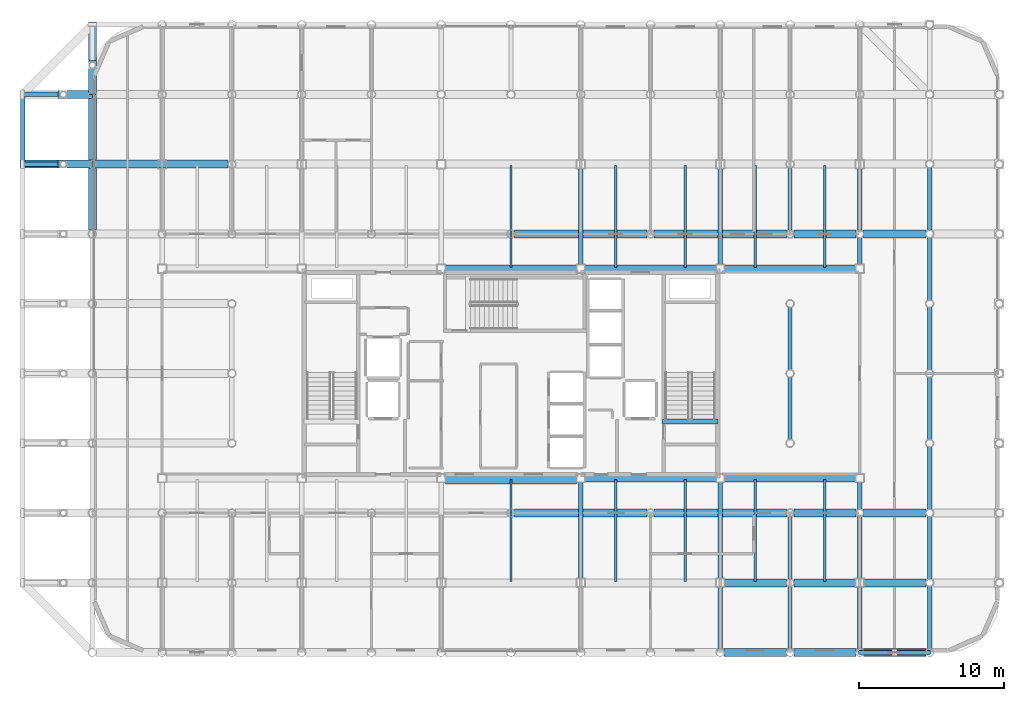
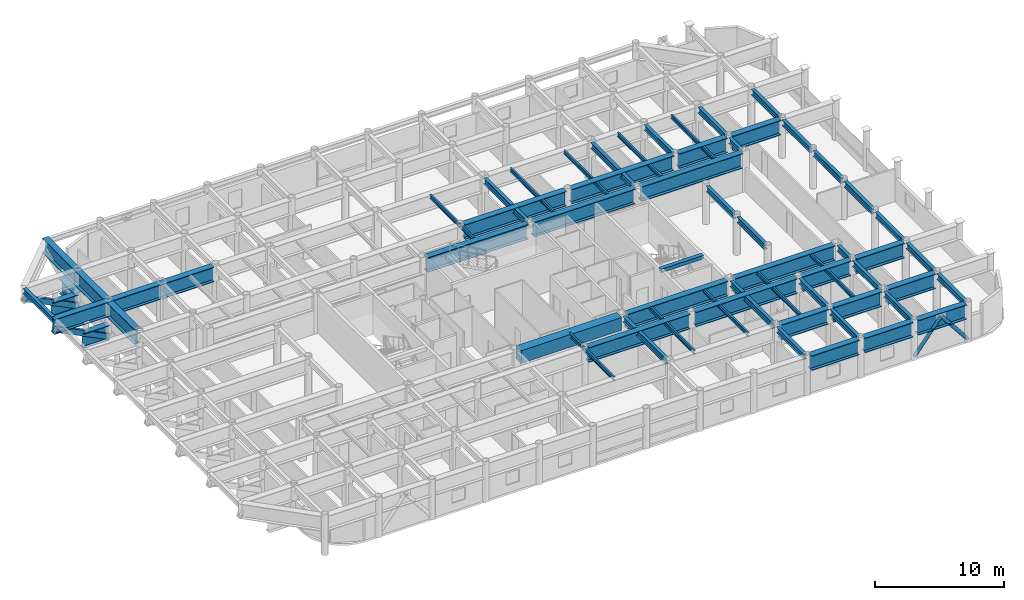
# One storey, part 11 of 27: 59 beams, 4 members.
"""IFC4 building model written with IfcOpenShell, lengths in metres."""

from ifc_helpers import new_model, si_unit, direction, frame, origin, origin_2d, place, context, subcontext, project, spatial, rectangle, hollow_rectangle, hollow_circle, i_section, extrude, material, material_profile, profile_set, type_object, element, save


model = new_model("IFC4")

# Units and contexts
model_context = context("Model", 3, precision=1e-05, world=origin(), true_north=direction((0.0, 1.0)))
body_context = subcontext(model_context, "Body", "Model", "MODEL_VIEW")
ifc_project = project(units=[si_unit("LENGTHUNIT", "METRE"), si_unit("AREAUNIT", "SQUARE_METRE"), si_unit("VOLUMEUNIT", "CUBIC_METRE"), si_unit("PLANEANGLEUNIT", "RADIAN"), si_unit("MASSUNIT", "GRAM", prefix="KILO")], contexts=[model_context])

# Site, building, storey
site_placement = place(None, origin())
site = spatial("IfcSite", under=ifc_project, at=site_placement, CompositionType="ELEMENT")
building_placement = place(site_placement, origin())
building = spatial("IfcBuilding", under=site, at=building_placement, Name="Kallvorn Hotel Tower", CompositionType="ELEMENT")
storey_placement = place(building_placement, frame((0.0, 0.0, 245.39990234375)))
storey = spatial("IfcBuildingStorey", under=building, at=storey_placement, Name="L61", CompositionType="ELEMENT", Elevation=245.39990234375)

# Beams
ifc_material_1 = material(Name="Structural steel S355JR", Category="steel")
ifc_material_profile_1 = material_profile(ifc_material_1, i_section(OverallWidth=0.300048828125, OverallDepth=0.5, WebThickness=0.014404296875, FlangeThickness=0.028076171875, at=origin_2d()), Name="HE 500 B")
ifc_profile_set_1 = profile_set([ifc_material_profile_1], Name="Structural steel S355JR")
beam_type_1 = type_object("IfcBeamType", Name="BM_HE500B", PredefinedType="SPANDREL", material=ifc_profile_set_1)
beam_1_placement = place(storey_placement, frame((-33.60009765625, 14.550048828125, 3.420166015625), z_axis=(0.0, 1.0, 0.0), x_axis=(-1.0, 0.0, 0.0)))
element("IfcBeam", 1, at=beam_1_placement, inside=storey, type_object=beam_type_1, Name="L62 Perimeter Spandrel 189", PredefinedType="SPANDREL", context=body_context, shape_type="SweptSolid", body=[
    extrude(i_section(OverallWidth=0.300048828125, OverallDepth=0.5, WebThickness=0.014404296875, FlangeThickness=0.028076171875, at=origin_2d()), origin(), (0.0, 0.0, 1.0), 4.5),
])
ifc_material_2 = material(Name="Structural steel S355JR", Category="steel")
ifc_material_profile_2 = material_profile(ifc_material_2, i_section(OverallWidth=0.300048828125, OverallDepth=0.550048828125, WebThickness=0.014892578125, FlangeThickness=0.029052734375, at=origin_2d()), Name="HE 550 B")
ifc_profile_set_2 = profile_set([ifc_material_profile_2], Name="Structural steel S355JR")
beam_type_2 = type_object("IfcBeamType", Name="BM_HE550B", PredefinedType="SPANDREL", material=ifc_profile_set_2)
for number, where, z_axis, x_axis, name in (
    (2, (4.800048828125, -14.125, 3.39501953125), (0.0, 1.0, 0.0), (-1.0, 0.0, 0.0), "L62 Primary Y-Girder 123"),
    (3, (4.800048828125, 7.47509765625, 3.39501953125), (0.0, 1.0, 0.0), (-1.0, 0.0, 0.0), "L62 Primary Y-Girder 124"),
):
    element("IfcBeam", number, at=place(storey_placement, frame(where, z_axis=z_axis, x_axis=x_axis)), inside=storey, type_object=beam_type_2, Name=name, PredefinedType="SPANDREL", context=body_context, shape_type="SweptSolid", body=[
        extrude(i_section(OverallWidth=0.300048828125, OverallDepth=0.550048828125, WebThickness=0.014892578125, FlangeThickness=0.029052734375, at=origin_2d()), origin(), (0.0, 0.0, 1.0), 6.64990234375),
    ])
beam_2_placement = place(storey_placement, frame((14.39990234375, -18.945556640625, 3.39501953125), z_axis=(0.0, 1.0, 0.0), x_axis=(-1.0, 0.0, 0.0)))
element("IfcBeam", 4, at=beam_2_placement, inside=storey, type_object=beam_type_2, Name="L62 Primary Y-Girder 130", PredefinedType="SPANDREL", context=body_context, shape_type="SweptSolid", body=[
    extrude(i_section(OverallWidth=0.300048828125, OverallDepth=0.550048828125, WebThickness=0.014892578125, FlangeThickness=0.029052734375, at=origin_2d()), origin(), (0.0, 0.0, 1.0), 4.2705078125),
])
for number, where, z_axis, x_axis, name in (
    (5, (14.39990234375, -14.125, 3.39501953125), (0.0, 1.0, 0.0), (-1.0, 0.0, 0.0), "L62 Primary Y-Girder 131"),
    (6, (14.39990234375, 7.47509765625, 3.39501953125), (0.0, 1.0, 0.0), (-1.0, 0.0, 0.0), "L62 Primary Y-Girder 132"),
):
    element("IfcBeam", number, at=place(storey_placement, frame(where, z_axis=z_axis, x_axis=x_axis)), inside=storey, type_object=beam_type_2, Name=name, PredefinedType="SPANDREL", context=body_context, shape_type="SweptSolid", body=[
        extrude(i_section(OverallWidth=0.300048828125, OverallDepth=0.550048828125, WebThickness=0.014892578125, FlangeThickness=0.029052734375, at=origin_2d()), origin(), (0.0, 0.0, 1.0), 6.64990234375),
    ])
for number, where, z_axis, x_axis, name in (
    (7, (19.199951171875, -18.945556640625, 3.39501953125), (0.0, 1.0, 0.0), (-1.0, 0.0, 0.0), "L62 Primary Y-Girder 135"),
    (8, (19.199951171875, -14.1455078125, 3.39501953125), (0.0, 1.0, 0.0), (-1.0, 0.0, 0.0), "L62 Primary Y-Girder 136"),
    (9, (19.199951171875, -4.54541015625, 3.39501953125), (0.0, 1.0, 0.0), (-1.0, 0.0, 0.0), "L62 Primary Y-Girder 138"),
    (10, (19.199951171875, 0.25439453125, 3.39501953125), (0.0, 1.0, 0.0), (-1.0, 0.0, 0.0), "L62 Primary Y-Girder 139"),
    (11, (19.199951171875, 9.8544921875, 3.39501953125), (0.0, 1.0, 0.0), (-1.0, 0.0, 0.0), "L62 Primary Y-Girder 141"),
):
    element("IfcBeam", number, at=place(storey_placement, frame(where, z_axis=z_axis, x_axis=x_axis)), inside=storey, type_object=beam_type_2, Name=name, PredefinedType="SPANDREL", context=body_context, shape_type="SweptSolid", body=[
        extrude(i_section(OverallWidth=0.300048828125, OverallDepth=0.550048828125, WebThickness=0.014892578125, FlangeThickness=0.029052734375, at=origin_2d()), origin(), (0.0, 0.0, 1.0), 4.291015625),
    ])
for number, where, z_axis, x_axis, name in (
    (12, (24.0, -18.945556640625, 3.39501953125), (0.0, 1.0, 0.0), (-1.0, 0.0, 0.0), "L62 Primary Y-Girder 144"),
    (13, (24.0, -14.125, 3.39501953125), (0.0, 1.0, 0.0), (-1.0, 0.0, 0.0), "L62 Primary Y-Girder 145"),
):
    element("IfcBeam", number, at=place(storey_placement, frame(where, z_axis=z_axis, x_axis=x_axis)), inside=storey, type_object=beam_type_2, Name=name, PredefinedType="SPANDREL", context=body_context, shape_type="SweptSolid", body=[
        extrude(i_section(OverallWidth=0.300048828125, OverallDepth=0.550048828125, WebThickness=0.014892578125, FlangeThickness=0.029052734375, at=origin_2d()), origin(), (0.0, 0.0, 1.0), 4.2705078125),
    ])
for number, where, z_axis, x_axis, name in (
    (14, (24.0, -9.345458984375, 3.39501953125), (0.0, 1.0, 0.0), (-1.0, 0.0, 0.0), "L62 Primary Y-Girder 146"),
    (15, (24.0, 7.47509765625, 3.39501953125), (0.0, 1.0, 0.0), (-1.0, 0.0, 0.0), "L62 Primary Y-Girder 147"),
):
    element("IfcBeam", number, at=place(storey_placement, frame(where, z_axis=z_axis, x_axis=x_axis)), inside=storey, type_object=beam_type_2, Name=name, PredefinedType="SPANDREL", context=body_context, shape_type="SweptSolid", body=[
        extrude(i_section(OverallWidth=0.300048828125, OverallDepth=0.550048828125, WebThickness=0.014892578125, FlangeThickness=0.029052734375, at=origin_2d()), origin(), (0.0, 0.0, 1.0), 1.870361328125),
    ])
beam_3_placement = place(storey_placement, frame((24.0, 9.8544921875, 3.39501953125), z_axis=(0.0, 1.0, 0.0), x_axis=(-1.0, 0.0, 0.0)))
element("IfcBeam", 16, at=beam_3_placement, inside=storey, type_object=beam_type_2, Name="L62 Primary Y-Girder 148", PredefinedType="SPANDREL", context=body_context, shape_type="SweptSolid", body=[
    extrude(i_section(OverallWidth=0.300048828125, OverallDepth=0.550048828125, WebThickness=0.014892578125, FlangeThickness=0.029052734375, at=origin_2d()), origin(), (0.0, 0.0, 1.0), 4.2705078125),
])
for number, where, z_axis, x_axis, name in (
    (17, (28.800048828125, -18.945556640625, 3.39501953125), (0.0, 1.0, 0.0), (-1.0, 0.0, 0.0), "L62 Primary Y-Girder 151"),
    (18, (28.800048828125, -14.1455078125, 3.39501953125), (0.0, 1.0, 0.0), (-1.0, 0.0, 0.0), "L62 Primary Y-Girder 152"),
    (19, (28.800048828125, -9.345458984375, 3.39501953125), (0.0, 1.0, 0.0), (-1.0, 0.0, 0.0), "L62 Primary Y-Girder 153"),
    (20, (28.800048828125, -4.54541015625, 3.39501953125), (0.0, 1.0, 0.0), (-1.0, 0.0, 0.0), "L62 Primary Y-Girder 154"),
    (21, (28.800048828125, 0.25439453125, 3.39501953125), (0.0, 1.0, 0.0), (-1.0, 0.0, 0.0), "L62 Primary Y-Girder 155"),
    (22, (28.800048828125, 5.054443359375, 3.39501953125), (0.0, 1.0, 0.0), (-1.0, 0.0, 0.0), "L62 Primary Y-Girder 156"),
    (23, (28.800048828125, 9.8544921875, 3.39501953125), (0.0, 1.0, 0.0), (-1.0, 0.0, 0.0), "L62 Primary Y-Girder 157"),
):
    element("IfcBeam", number, at=place(storey_placement, frame(where, z_axis=z_axis, x_axis=x_axis)), inside=storey, type_object=beam_type_2, Name=name, PredefinedType="SPANDREL", context=body_context, shape_type="SweptSolid", body=[
        extrude(i_section(OverallWidth=0.300048828125, OverallDepth=0.550048828125, WebThickness=0.014892578125, FlangeThickness=0.029052734375, at=origin_2d()), origin(), (0.0, 0.0, 1.0), 4.291015625),
    ])
ifc_material_3 = material(Name="Structural steel S355JR", Category="steel")
ifc_material_profile_3 = material_profile(ifc_material_3, i_section(OverallWidth=0.169921875, OverallDepth=0.360107421875, WebThickness=0.008056640625, FlangeThickness=0.0126953125, at=origin_2d()), Name="IPE 360")
ifc_profile_set_3 = profile_set([ifc_material_profile_3], Name="Structural steel S355JR")
beam_type_3 = type_object("IfcBeamType", Name="BM_IPE360", PredefinedType="JOIST", material=ifc_profile_set_3)
for number, where, z_axis, x_axis, name in (
    (24, (0.0, -14.300048828125, 3.489990234375), (0.0, 1.0, 0.0), (-1.0, 0.0, 0.0), "L62 Secondary Composite Joist 209"),
    (25, (0.0, 7.300048828125, 3.489990234375), (0.0, 1.0, 0.0), (-1.0, 0.0, 0.0), "L62 Secondary Composite Joist 210"),
    (26, (7.199951171875, -14.300048828125, 3.489990234375), (0.0, 1.0, 0.0), (-1.0, 0.0, 0.0), "L62 Secondary Composite Joist 211"),
    (27, (7.199951171875, 7.300048828125, 3.489990234375), (0.0, 1.0, 0.0), (-1.0, 0.0, 0.0), "L62 Secondary Composite Joist 212"),
    (28, (12.0, -14.300048828125, 3.489990234375), (0.0, 1.0, 0.0), (-1.0, 0.0, 0.0), "L62 Secondary Composite Joist 213"),
    (29, (12.0, 7.300048828125, 3.489990234375), (0.0, 1.0, 0.0), (-1.0, 0.0, 0.0), "L62 Secondary Composite Joist 214"),
    (30, (16.800048828125, -14.300048828125, 3.489990234375), (0.0, 1.0, 0.0), (-1.0, 0.0, 0.0), "L62 Secondary Composite Joist 215"),
    (31, (16.800048828125, 7.300048828125, 3.489990234375), (0.0, 1.0, 0.0), (-1.0, 0.0, 0.0), "L62 Secondary Composite Joist 216"),
    (32, (21.60009765625, -14.300048828125, 3.489990234375), (0.0, 1.0, 0.0), (-1.0, 0.0, 0.0), "L62 Secondary Composite Joist 217"),
    (33, (21.60009765625, 7.300048828125, 3.489990234375), (0.0, 1.0, 0.0), (-1.0, 0.0, 0.0), "L62 Secondary Composite Joist 218"),
):
    element("IfcBeam", number, at=place(storey_placement, frame(where, z_axis=z_axis, x_axis=x_axis)), inside=storey, type_object=beam_type_3, Name=name, PredefinedType="JOIST", context=body_context, shape_type="SweptSolid", body=[
        extrude(i_section(OverallWidth=0.169921875, OverallDepth=0.360107421875, WebThickness=0.008056640625, FlangeThickness=0.0126953125, at=origin_2d()), origin(), (0.0, 0.0, 1.0), 7.0),
    ])
ifc_material_4 = material(Name="Structural steel S355JR", Category="steel")
ifc_material_profile_4 = material_profile(ifc_material_4, i_section(OverallWidth=0.550048828125, OverallDepth=1.39990234375, WebThickness=0.02490234375, FlangeThickness=0.044921875, at=origin_2d()), Name="PG 1400x550x25x45")
ifc_profile_set_4 = profile_set([ifc_material_profile_4], Name="Structural steel S355JR")
beam_type_4 = type_object("IfcBeamType", Name="BM_PG_1400", PredefinedType="BEAM", material=ifc_profile_set_4)
beam_4_placement = place(storey_placement, frame((-19.469482421875, 14.39990234375, 2.97021484375), z_axis=(-1.0, 0.0, 0.0), x_axis=(0.0, -1.0, 0.0)))
element("IfcBeam", 34, at=beam_4_placement, inside=storey, type_object=beam_type_4, Name="L62 Continuous Cantilever Transfer Girder 07", PredefinedType="BEAM", context=body_context, shape_type="SweptSolid", body=[
    extrude(i_section(OverallWidth=0.550048828125, OverallDepth=1.39990234375, WebThickness=0.02490234375, FlangeThickness=0.044921875, at=origin_2d()), origin(), (0.0, 0.0, 1.0), 14.310546875),
])
for number, where, z_axis, x_axis, name in (
    (35, (-28.800048828125, 14.39990234375, 0.72021484375), (-1.0, 0.0, 0.0), (0.0, -1.0, 0.0), "L62 Cantilever Haunch Corbel 07"),
    (36, (-28.800048828125, 19.199951171875, 0.72021484375), (-1.0, 0.0, 0.0), (0.0, -1.0, 0.0), "L62 Cantilever Haunch Corbel 08"),
):
    element("IfcBeam", number, at=place(storey_placement, frame(where, z_axis=z_axis, x_axis=x_axis)), inside=storey, type_object=beam_type_4, Name=name, PredefinedType="BEAM", context=body_context, shape_type="SweptSolid", body=[
        extrude(i_section(OverallWidth=0.550048828125, OverallDepth=1.39990234375, WebThickness=0.02490234375, FlangeThickness=0.044921875, at=origin_2d()), origin(), (0.0, 0.0, 1.0), 2.349853515625),
    ])
beam_5_placement = place(storey_placement, frame((-28.800048828125, 9.869384765625, 2.97021484375), z_axis=(0.0, 1.0, 0.0), x_axis=(-1.0, 0.0, 0.0)))
element("IfcBeam", 37, at=beam_5_placement, inside=storey, type_object=beam_type_4, Name="L62 Continuous Cantilever Transfer Girder 09", PredefinedType="BEAM", context=body_context, shape_type="SweptSolid", body=[
    extrude(i_section(OverallWidth=0.550048828125, OverallDepth=1.39990234375, WebThickness=0.02490234375, FlangeThickness=0.044921875, at=origin_2d()), origin(), (0.0, 0.0, 1.0), 14.310546875),
])
beam_6_placement = place(storey_placement, frame((-28.800048828125, 19.199951171875, 0.72021484375), z_axis=(0.0, 1.0, 0.0), x_axis=(-1.0, 0.0, 0.0)))
element("IfcBeam", 38, at=beam_6_placement, inside=storey, type_object=beam_type_4, Name="L62 Cantilever Haunch Corbel 09", PredefinedType="BEAM", context=body_context, shape_type="SweptSolid", body=[
    extrude(i_section(OverallWidth=0.550048828125, OverallDepth=1.39990234375, WebThickness=0.02490234375, FlangeThickness=0.044921875, at=origin_2d()), origin(), (0.0, 0.0, 1.0), 2.35009765625),
])
for number, where, z_axis, x_axis, name in (
    (39, (14.654541015625, -19.199951171875, 2.97021484375), (1.0, 0.0, 0.0), (0.0, 1.0, 0.0), "L62 Primary X-Girder 19"),
    (40, (19.45458984375, -19.199951171875, 2.97021484375), (1.0, 0.0, 0.0), (0.0, 1.0, 0.0), "L62 Primary X-Girder 20"),
    (41, (24.25439453125, -19.199951171875, 2.97021484375), (1.0, 0.0, 0.0), (0.0, 1.0, 0.0), "L62 Primary X-Girder 21"),
):
    element("IfcBeam", number, at=place(storey_placement, frame(where, z_axis=z_axis, x_axis=x_axis)), inside=storey, type_object=beam_type_4, Name=name, PredefinedType="BEAM", context=body_context, shape_type="SweptSolid", body=[
        extrude(i_section(OverallWidth=0.550048828125, OverallDepth=1.39990234375, WebThickness=0.02490234375, FlangeThickness=0.044921875, at=origin_2d()), origin(), (0.0, 0.0, 1.0), 4.291015625),
    ])
for number, where, z_axis, x_axis, name in (
    (42, (14.675048828125, -14.39990234375, 2.97021484375), (1.0, 0.0, 0.0), (0.0, 1.0, 0.0), "L62 Primary X-Girder 28"),
    (43, (19.45458984375, -14.39990234375, 2.97021484375), (1.0, 0.0, 0.0), (0.0, 1.0, 0.0), "L62 Primary X-Girder 29"),
    (44, (24.27490234375, -14.39990234375, 2.97021484375), (1.0, 0.0, 0.0), (0.0, 1.0, 0.0), "L62 Primary X-Girder 30"),
):
    element("IfcBeam", number, at=place(storey_placement, frame(where, z_axis=z_axis, x_axis=x_axis)), inside=storey, type_object=beam_type_4, Name=name, PredefinedType="BEAM", context=body_context, shape_type="SweptSolid", body=[
        extrude(i_section(OverallWidth=0.550048828125, OverallDepth=1.39990234375, WebThickness=0.02490234375, FlangeThickness=0.044921875, at=origin_2d()), origin(), (0.0, 0.0, 1.0), 4.2705078125),
    ])
for number, where, z_axis, x_axis, name in (
    (45, (0.25439453125, -9.60009765625, 2.97021484375), (1.0, 0.0, 0.0), (0.0, 1.0, 0.0), "L62 Primary X-Girder 36"),
    (46, (9.8544921875, -9.60009765625, 2.97021484375), (1.0, 0.0, 0.0), (0.0, 1.0, 0.0), "L62 Primary X-Girder 37"),
):
    element("IfcBeam", number, at=place(storey_placement, frame(where, z_axis=z_axis, x_axis=x_axis)), inside=storey, type_object=beam_type_4, Name=name, PredefinedType="BEAM", context=body_context, shape_type="SweptSolid", body=[
        extrude(i_section(OverallWidth=0.550048828125, OverallDepth=1.39990234375, WebThickness=0.02490234375, FlangeThickness=0.044921875, at=origin_2d()), origin(), (0.0, 0.0, 1.0), 9.091064453125),
    ])
for number, where, z_axis, x_axis, name in (
    (47, (19.45458984375, -9.60009765625, 2.97021484375), (1.0, 0.0, 0.0), (0.0, 1.0, 0.0), "L62 Primary X-Girder 38"),
    (48, (24.25439453125, -9.60009765625, 2.97021484375), (1.0, 0.0, 0.0), (0.0, 1.0, 0.0), "L62 Primary X-Girder 39"),
):
    element("IfcBeam", number, at=place(storey_placement, frame(where, z_axis=z_axis, x_axis=x_axis)), inside=storey, type_object=beam_type_4, Name=name, PredefinedType="BEAM", context=body_context, shape_type="SweptSolid", body=[
        extrude(i_section(OverallWidth=0.550048828125, OverallDepth=1.39990234375, WebThickness=0.02490234375, FlangeThickness=0.044921875, at=origin_2d()), origin(), (0.0, 0.0, 1.0), 4.291015625),
    ])
for number, where, z_axis, x_axis, name in (
    (49, (5.074951171875, -7.199951171875, 2.97021484375), (1.0, 0.0, 0.0), (0.0, 1.0, 0.0), "L62 Primary X-Girder 43"),
    (50, (14.675048828125, -7.199951171875, 2.97021484375), (1.0, 0.0, 0.0), (0.0, 1.0, 0.0), "L62 Primary X-Girder 44"),
):
    element("IfcBeam", number, at=place(storey_placement, frame(where, z_axis=z_axis, x_axis=x_axis)), inside=storey, type_object=beam_type_4, Name=name, PredefinedType="BEAM", context=body_context, shape_type="SweptSolid", body=[
        extrude(i_section(OverallWidth=0.550048828125, OverallDepth=1.39990234375, WebThickness=0.02490234375, FlangeThickness=0.044921875, at=origin_2d()), origin(), (0.0, 0.0, 1.0), 9.050048828125),
    ])
beam_7_placement = place(storey_placement, frame((-4.52490234375, 7.199951171875, 2.97021484375), z_axis=(1.0, 0.0, 0.0), x_axis=(0.0, 1.0, 0.0)))
element("IfcBeam", 51, at=beam_7_placement, inside=storey, type_object=beam_type_4, Name="L62 Primary X-Girder 47", PredefinedType="BEAM", context=body_context, shape_type="SweptSolid", body=[
    extrude(i_section(OverallWidth=0.550048828125, OverallDepth=1.39990234375, WebThickness=0.02490234375, FlangeThickness=0.044921875, at=origin_2d()), origin(), (0.0, 0.0, 1.0), 9.0498046875),
])
for number, where, z_axis, x_axis, name in (
    (52, (5.074951171875, 7.199951171875, 2.97021484375), (1.0, 0.0, 0.0), (0.0, 1.0, 0.0), "L62 Primary X-Girder 48"),
    (53, (14.675048828125, 7.199951171875, 2.97021484375), (1.0, 0.0, 0.0), (0.0, 1.0, 0.0), "L62 Primary X-Girder 49"),
):
    element("IfcBeam", number, at=place(storey_placement, frame(where, z_axis=z_axis, x_axis=x_axis)), inside=storey, type_object=beam_type_4, Name=name, PredefinedType="BEAM", context=body_context, shape_type="SweptSolid", body=[
        extrude(i_section(OverallWidth=0.550048828125, OverallDepth=1.39990234375, WebThickness=0.02490234375, FlangeThickness=0.044921875, at=origin_2d()), origin(), (0.0, 0.0, 1.0), 9.050048828125),
    ])
for number, where, z_axis, x_axis, name in (
    (54, (0.25439453125, 9.60009765625, 2.97021484375), (1.0, 0.0, 0.0), (0.0, 1.0, 0.0), "L62 Primary X-Girder 54"),
    (55, (9.8544921875, 9.60009765625, 2.97021484375), (1.0, 0.0, 0.0), (0.0, 1.0, 0.0), "L62 Primary X-Girder 55"),
):
    element("IfcBeam", number, at=place(storey_placement, frame(where, z_axis=z_axis, x_axis=x_axis)), inside=storey, type_object=beam_type_4, Name=name, PredefinedType="BEAM", context=body_context, shape_type="SweptSolid", body=[
        extrude(i_section(OverallWidth=0.550048828125, OverallDepth=1.39990234375, WebThickness=0.02490234375, FlangeThickness=0.044921875, at=origin_2d()), origin(), (0.0, 0.0, 1.0), 9.091064453125),
    ])
for number, where, z_axis, x_axis, name in (
    (56, (19.45458984375, 9.60009765625, 2.97021484375), (1.0, 0.0, 0.0), (0.0, 1.0, 0.0), "L62 Primary X-Girder 56"),
    (57, (24.25439453125, 9.60009765625, 2.97021484375), (1.0, 0.0, 0.0), (0.0, 1.0, 0.0), "L62 Primary X-Girder 57"),
):
    element("IfcBeam", number, at=place(storey_placement, frame(where, z_axis=z_axis, x_axis=x_axis)), inside=storey, type_object=beam_type_4, Name=name, PredefinedType="BEAM", context=body_context, shape_type="SweptSolid", body=[
        extrude(i_section(OverallWidth=0.550048828125, OverallDepth=1.39990234375, WebThickness=0.02490234375, FlangeThickness=0.044921875, at=origin_2d()), origin(), (0.0, 0.0, 1.0), 4.291015625),
    ])
ifc_material_5 = material(Name="Concrete C50/60", Category="concrete")
ifc_material_profile_5 = material_profile(ifc_material_5, rectangle(XDim=0.360107421875, YDim=0.340087890625, at=origin_2d()), Name="RC 360x340")
ifc_profile_set_5 = profile_set([ifc_material_profile_5], Name="Concrete C50/60")
beam_type_5 = type_object("IfcBeamType", Name="BM_RC_400x360", PredefinedType="BEAM", material=ifc_profile_set_5)
beam_8_placement = place(storey_placement, frame((14.239990234375, -3.31005859375, 3.5), z_axis=(-1.0, 0.0, 0.0), x_axis=(0.0, -1.0, 0.0)))
element("IfcBeam", 58, at=beam_8_placement, inside=storey, type_object=beam_type_5, Name="L62 Stair ST2 Arrival Trimmer Beam", PredefinedType="BEAM", context=body_context, shape_type="SweptSolid", body=[
    extrude(rectangle(XDim=0.360107421875, YDim=0.340087890625, at=origin_2d()), origin(), (0.0, 0.0, 1.0), 3.820068359375),
])
ifc_material_6 = material(Name="Concrete C50/60", Category="concrete")
ifc_material_profile_6 = material_profile(ifc_material_6, rectangle(XDim=0.800048828125, YDim=1.199951171875, at=origin_2d()), Name="RC 800x1200")
ifc_profile_set_6 = profile_set([ifc_material_profile_6], Name="Concrete C50/60")
beam_type_6 = type_object("IfcBeamType", Name="BM_RC_800x1200", PredefinedType="T_BEAM", material=ifc_profile_set_6)
beam_9_placement = place(storey_placement, frame((-4.5, -7.199951171875, 3.070068359375), z_axis=(1.0, 0.0, 0.0), x_axis=(0.0, 1.0, 0.0)))
element("IfcBeam", 59, at=beam_9_placement, inside=storey, type_object=beam_type_6, Name="L61 Core Coupling Beam South", PredefinedType="T_BEAM", context=body_context, shape_type="SweptSolid", body=[
    extrude(rectangle(XDim=0.800048828125, YDim=1.199951171875, at=origin_2d()), origin(), (0.0, 0.0, 1.0), 9.0),
])

# Members
ifc_material_7 = material(Name="Structural steel S355J2H", Category="steel")
ifc_material_profile_7 = material_profile(ifc_material_7, hollow_circle(Radius=0.161865234375, WallThickness=0.012451171875, at=origin_2d()), Name="CHS 323.9x12.5")
ifc_profile_set_7 = profile_set([ifc_material_profile_7], Name="Structural steel S355J2H")
member_type_1 = type_object("IfcMemberType", Name="MBR_EXO_CHS323", PredefinedType="BRACE", material=ifc_profile_set_7)
for number, where, z_axis, x_axis, name in (
    (60, (24.012451171875, -19.199951171875, 0.19580078125), (0.620928510901, 0.0, 0.783867198159), (0.0, 1.0, 0.0), "L61 Exoskeleton K-Brace S2A"),
    (61, (28.78759765625, -19.199951171875, 0.19580078125), (-0.620928510901, 0.0, 0.783867198159), (0.0, -1.0, 0.0), "L61 Exoskeleton K-Brace S2B"),
):
    element("IfcMember", number, at=place(storey_placement, frame(where, z_axis=z_axis, x_axis=x_axis)), inside=storey, type_object=member_type_1, Name=name, PredefinedType="BRACE", context=body_context, shape_type="SweptSolid", body=[
        extrude(hollow_circle(Radius=0.161865234375, WallThickness=0.012451171875, at=origin_2d()), origin(), (0.0, 0.0, 1.0), 3.8251953125),
    ])
ifc_material_8 = material(Name="Structural steel S355J2H", Category="steel")
ifc_material_profile_8 = material_profile(ifc_material_8, hollow_rectangle(XDim=0.300048828125, YDim=0.5, WallThickness=0.02490234375, at=origin_2d()), Name="RHS 500x300x25")
ifc_profile_set_8 = profile_set([ifc_material_profile_8], Name="Structural steel S355J2H")
member_type_2 = type_object("IfcMemberType", Name="MBR_OUTRIGGER_RHS500", PredefinedType="BRACE", material=ifc_profile_set_8)
for number, where, z_axis, x_axis, name in (
    (62, (-28.800048828125, 14.39990234375, 0.25), (-0.896650696442, 0.0, 0.442738668484), (0.0, -1.0, 0.0), "L62 Exoskeleton Cantilever Raking Strut 07"),
    (63, (-28.800048828125, 19.199951171875, 0.25), (-0.896650696442, 0.0, 0.442738668484), (0.0, -1.0, 0.0), "L62 Exoskeleton Cantilever Raking Strut 08"),
):
    element("IfcMember", number, at=place(storey_placement, frame(where, z_axis=z_axis, x_axis=x_axis)), inside=storey, type_object=member_type_2, Name=name, PredefinedType="BRACE", context=body_context, shape_type="SweptSolid", body=[
        extrude(hollow_rectangle(XDim=0.300048828125, YDim=0.5, WallThickness=0.02490234375, at=origin_2d()), origin(), (0.0, 0.0, 1.0), 5.353271484375),
    ])

save(model, "model.ifc")
